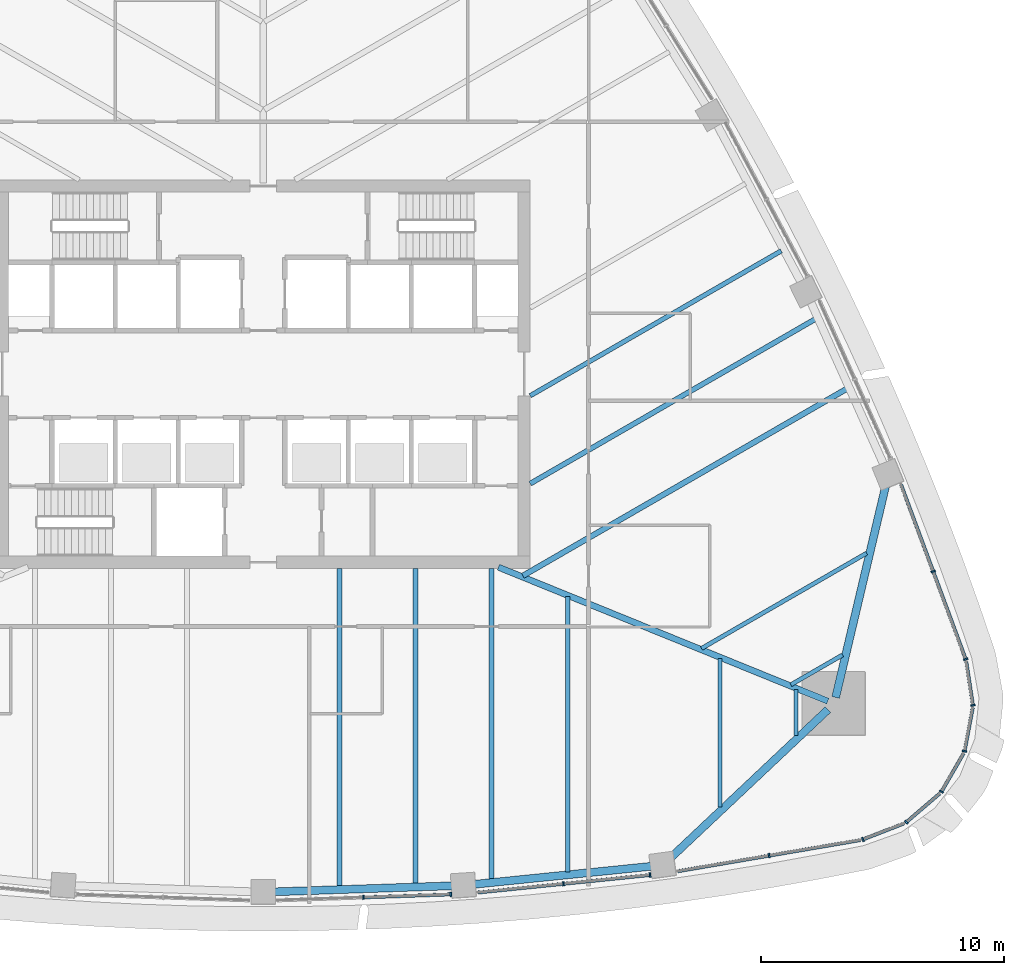
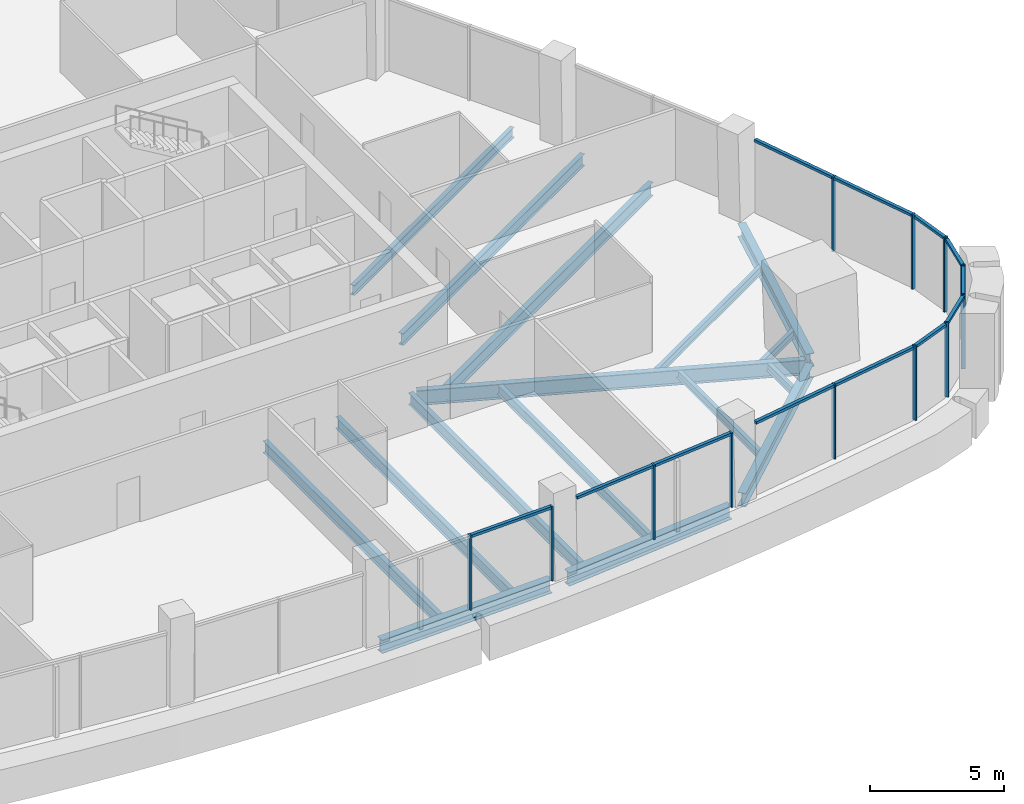
# One storey, part 4 of 16: 24 members, 16 beams, 9 elements without a shape of their own.
"""IFC4 building model written with IfcOpenShell, lengths in metres."""

from ifc_helpers import new_model, si_unit, direction, frame, origin, origin_2d, place, context, subcontext, project, spatial, rectangle, i_section, extrude, material, layer, layer_set, material_profile, profile_set, type_object, element, aggregate, save


model = new_model("IFC4")

# Units and contexts
model_context = context("Model", 3, precision=1e-05, world=origin(), true_north=direction((0.0, 1.0)))
body_context = subcontext(model_context, "Body", "Model", "MODEL_VIEW")
ifc_project = project(units=[si_unit("LENGTHUNIT", "METRE"), si_unit("AREAUNIT", "SQUARE_METRE"), si_unit("VOLUMEUNIT", "CUBIC_METRE"), si_unit("PLANEANGLEUNIT", "RADIAN"), si_unit("MASSUNIT", "GRAM", prefix="KILO")], contexts=[model_context])

# Site, building, storey
site_placement = place(None, origin())
site = spatial("IfcSite", under=ifc_project, at=site_placement, CompositionType="ELEMENT")
building_placement = place(site_placement, origin())
building = spatial("IfcBuilding", under=site, at=building_placement, Name="Sierra Prisma Convention Tower", CompositionType="ELEMENT")
storey_placement = place(building_placement, frame((0.0, 0.0, 181.800048828125)))
storey = spatial("IfcBuildingStorey", under=building, at=storey_placement, Name="L40", CompositionType="ELEMENT", Elevation=181.800048828125)

# Curtain wall, members
ifc_material_1 = material(Name="Aluminium and glass curtain wall", Category="aluminium")
ifc_layer = layer(ifc_material_1, 0.179931640625)
ifc_layer_set = layer_set([ifc_layer], Name="CW-1 Plain shaft curtain wall")
curtain_wall_type = type_object("IfcCurtainWallType", Name="CW-1 Plain shaft curtain wall", PredefinedType="NOTDEFINED", material=ifc_layer_set)
curtain_wall_1_placement = place(storey_placement, origin())
curtain_wall_1 = element("IfcCurtainWall", 1, at=curtain_wall_1_placement, inside=storey, type_object=curtain_wall_type, Name="CW-1 S4 L40", PredefinedType="NOTDEFINED")
ifc_material_2 = material(Name="Aluminium 6063-T6 bronze anodised", Category="aluminium")
ifc_material_profile_1 = material_profile(ifc_material_2, rectangle(XDim=0.179931640625, YDim=0.070068359375, at=origin_2d()), Name="ALU MULLION 70x180")
ifc_profile_set_1 = profile_set([ifc_material_profile_1], Name="Aluminium 6063-T6 bronze anodised")
member_type_1 = type_object("IfcMemberType", Name="CW mullion bronze", PredefinedType="MULLION", material=ifc_profile_set_1)
member_1_placement = place(storey_placement, frame((4.131591796875, -21.555908203125, 0.0), z_axis=(0.0, 0.0, 1.0), x_axis=(-0.033791530634, 0.999428903153, 0.0)))
member_1 = element("IfcMember", 2, at=member_1_placement, type_object=member_type_1, Name="CW-1 mullion S4.2", PredefinedType="MULLION", context=body_context, shape_type="SweptSolid", body=[
    extrude(rectangle(XDim=0.179931640625, YDim=0.070068359375, at=origin_2d()), origin(), (0.0, 0.0, 1.0), 3.39990234375),
])
member_2_placement = place(storey_placement, frame((7.728271484375, -21.434326171875, 0.0), z_axis=(0.0, 0.0, 1.0), x_axis=(-0.033791530634, 0.999428903153, 0.0)))
member_2 = element("IfcMember", 3, at=member_2_placement, type_object=member_type_1, Name="CW-1 mullion S4.3", PredefinedType="MULLION", context=body_context, shape_type="SweptSolid", body=[
    extrude(rectangle(XDim=0.179931640625, YDim=0.070068359375, at=origin_2d()), origin(), (0.0, 0.0, 1.0), 3.39990234375),
])

curtain_wall_2_placement = place(storey_placement, origin())
curtain_wall_2 = element("IfcCurtainWall", 4, at=curtain_wall_2_placement, inside=storey, type_object=curtain_wall_type, Name="CW-1 S5 L40", PredefinedType="NOTDEFINED")
member_3_placement = place(storey_placement, frame((12.3720703125, -20.9990234375, 0.0), z_axis=(0.0, 0.0, 1.0), x_axis=(-0.101220250094, 0.99486404145, 0.0)))
member_3 = element("IfcMember", 5, at=member_3_placement, type_object=member_type_1, Name="CW-1 mullion S5.2", PredefinedType="MULLION", context=body_context, shape_type="SweptSolid", body=[
    extrude(rectangle(XDim=0.179931640625, YDim=0.070068359375, at=origin_2d()), origin(), (0.0, 0.0, 1.0), 3.39990234375),
])
member_4_placement = place(storey_placement, frame((15.9365234375, -20.636474609375, 0.0), z_axis=(0.0, 0.0, 1.0), x_axis=(-0.101220250094, 0.99486404145, 0.0)))
member_4 = element("IfcMember", 6, at=member_4_placement, type_object=member_type_1, Name="CW-1 mullion S5.3", PredefinedType="MULLION", context=body_context, shape_type="SweptSolid", body=[
    extrude(rectangle(XDim=0.179931640625, YDim=0.070068359375, at=origin_2d()), origin(), (0.0, 0.0, 1.0), 3.39990234375),
])

# Curtain wall, member
curtain_wall_3_placement = place(storey_placement, origin())
curtain_wall_3 = element("IfcCurtainWall", 7, at=curtain_wall_3_placement, inside=storey, type_object=curtain_wall_type, Name="CW-1 S6 L40", PredefinedType="NOTDEFINED")
member_5_placement = place(storey_placement, frame((20.840576171875, -19.83935546875, 0.0), z_axis=(0.0, 0.0, 1.0), x_axis=(-0.168186649063, 0.985755167918, 0.0)))
member_5 = element("IfcMember", 8, at=member_5_placement, type_object=member_type_1, Name="CW-1 mullion S6.2", PredefinedType="MULLION", context=body_context, shape_type="SweptSolid", body=[
    extrude(rectangle(XDim=0.179931640625, YDim=0.070068359375, at=origin_2d()), origin(), (0.0, 0.0, 1.0), 3.39990234375),
])

curtain_wall_4_placement = place(storey_placement, origin())
curtain_wall_4 = element("IfcCurtainWall", 9, at=curtain_wall_4_placement, inside=storey, type_object=curtain_wall_type, Name="CW-1 SE1 L40", PredefinedType="NOTDEFINED")
member_6_placement = place(storey_placement, frame((24.707763671875, -19.17236328125, 0.0), z_axis=(0.0, 0.0, 1.0), x_axis=(-0.363171672809, 0.93172224191, 0.0)))
member_6 = element("IfcMember", 10, at=member_6_placement, type_object=member_type_1, Name="CW-1 mullion SE1.1", PredefinedType="MULLION", context=body_context, shape_type="SweptSolid", body=[
    extrude(rectangle(XDim=0.179931640625, YDim=0.070068359375, at=origin_2d()), origin(), (0.0, 0.0, 1.0), 3.39990234375),
])

curtain_wall_5_placement = place(storey_placement, origin())
curtain_wall_5 = element("IfcCurtainWall", 11, at=curtain_wall_5_placement, inside=storey, type_object=curtain_wall_type, Name="CW-1 SE2 L40", PredefinedType="NOTDEFINED")
member_7_placement = place(storey_placement, frame((26.493896484375, -18.4638671875, 0.0), z_axis=(0.0, 0.0, 1.0), x_axis=(-0.651404165496, 0.758730922775, 0.0)))
member_7 = element("IfcMember", 12, at=member_7_placement, type_object=member_type_1, Name="CW-1 mullion SE2.1", PredefinedType="MULLION", context=body_context, shape_type="SweptSolid", body=[
    extrude(rectangle(XDim=0.179931640625, YDim=0.070068359375, at=origin_2d()), origin(), (0.0, 0.0, 1.0), 3.39990234375),
])

curtain_wall_6_placement = place(storey_placement, origin())
curtain_wall_6 = element("IfcCurtainWall", 13, at=curtain_wall_6_placement, inside=storey, type_object=curtain_wall_type, Name="CW-1 SE3 L40", PredefinedType="NOTDEFINED")
member_8_placement = place(storey_placement, frame((27.944091796875, -17.20361328125, 0.0), z_axis=(0.0, 0.0, 1.0), x_axis=(-0.866025403784, 0.5, 0.0)))
member_8 = element("IfcMember", 14, at=member_8_placement, type_object=member_type_1, Name="CW-1 mullion SE3.1", PredefinedType="MULLION", context=body_context, shape_type="SweptSolid", body=[
    extrude(rectangle(XDim=0.179931640625, YDim=0.070068359375, at=origin_2d()), origin(), (0.0, 0.0, 1.0), 3.39990234375),
])

curtain_wall_7_placement = place(storey_placement, origin())
curtain_wall_7 = element("IfcCurtainWall", 15, at=curtain_wall_7_placement, inside=storey, type_object=curtain_wall_type, Name="CW-1 SE4 L40", PredefinedType="NOTDEFINED")
member_9_placement = place(storey_placement, frame((28.894775390625, -15.53369140625, 0.0), z_axis=(0.0, 0.0, 1.0), x_axis=(-0.982782336508, 0.184767094063, 0.0)))
member_9 = element("IfcMember", 16, at=member_9_placement, type_object=member_type_1, Name="CW-1 mullion SE4.1", PredefinedType="MULLION", context=body_context, shape_type="SweptSolid", body=[
    extrude(rectangle(XDim=0.179931640625, YDim=0.070068359375, at=origin_2d()), origin(), (0.0, 0.0, 1.0), 3.39990234375),
])

curtain_wall_8_placement = place(storey_placement, origin())
curtain_wall_8 = element("IfcCurtainWall", 17, at=curtain_wall_8_placement, inside=storey, type_object=curtain_wall_type, Name="CW-1 SE5 L40", PredefinedType="NOTDEFINED")
member_10_placement = place(storey_placement, frame((29.23828125, -13.643310546875, 0.0), z_axis=(0.0, 0.0, 1.0), x_axis=(-0.988480967169, -0.151345226367, 0.0)))
member_10 = element("IfcMember", 18, at=member_10_placement, type_object=member_type_1, Name="CW-1 mullion SE5.1", PredefinedType="MULLION", context=body_context, shape_type="SweptSolid", body=[
    extrude(rectangle(XDim=0.179931640625, YDim=0.070068359375, at=origin_2d()), origin(), (0.0, 0.0, 1.0), 3.39990234375),
])

# Curtain wall, members
curtain_wall_9_placement = place(storey_placement, origin())
curtain_wall_9 = element("IfcCurtainWall", 19, at=curtain_wall_9_placement, inside=storey, type_object=curtain_wall_type, Name="CW-1 NE1 L40", PredefinedType="NOTDEFINED")
member_11_placement = place(storey_placement, frame((28.9404296875, -11.743896484375, 0.0), z_axis=(0.0, 0.0, 1.0), x_axis=(-0.93778234186, -0.347223673293, 0.0)))
member_11 = element("IfcMember", 20, at=member_11_placement, type_object=member_type_1, Name="CW-1 mullion NE1.1", PredefinedType="MULLION", context=body_context, shape_type="SweptSolid", body=[
    extrude(rectangle(XDim=0.179931640625, YDim=0.070068359375, at=origin_2d()), origin(), (0.0, 0.0, 1.0), 3.39990234375),
])
member_12_placement = place(storey_placement, frame((27.601806640625, -8.128662109375, 0.0), z_axis=(0.0, 0.0, 1.0), x_axis=(-0.93778234186, -0.347223673293, 0.0)))
member_12 = element("IfcMember", 21, at=member_12_placement, type_object=member_type_1, Name="CW-1 mullion NE1.2", PredefinedType="MULLION", context=body_context, shape_type="SweptSolid", body=[
    extrude(rectangle(XDim=0.179931640625, YDim=0.070068359375, at=origin_2d()), origin(), (0.0, 0.0, 1.0), 3.39990234375),
])

# Member
ifc_material_3 = material(Name="Aluminium 6063-T6 bronze anodised", Category="aluminium")
ifc_material_profile_2 = material_profile(ifc_material_3, rectangle(XDim=0.139892578125, YDim=0.1201171875, at=origin_2d()), Name="ALU TRANSOM 120x140")
ifc_profile_set_2 = profile_set([ifc_material_profile_2], Name="Aluminium 6063-T6 bronze anodised")
member_type_2 = type_object("IfcMemberType", Name="CW transom bronze", PredefinedType="USERDEFINED", material=ifc_profile_set_2)
member_13_placement = place(storey_placement, frame((4.16650390625, -21.554931640625, 3.33984375), z_axis=(0.999427573838, 0.033830824007, 0.0), x_axis=(-0.033830824007, 0.999427573838, 0.0)))
member_13 = element("IfcMember", 22, at=member_13_placement, type_object=member_type_2, Name="CW-1 transom S4.2", ObjectType="TRANSOM", PredefinedType="USERDEFINED", context=body_context, shape_type="SweptSolid", body=[
    extrude(rectangle(XDim=0.139892578125, YDim=0.1201171875, at=origin_2d()), origin(), (0.0, 0.0, 1.0), 3.52880859375),
])

aggregate(curtain_wall_1, [member_1, member_2, member_13])

member_14_placement = place(storey_placement, frame((8.842529296875, -21.358154296875, 3.33984375), z_axis=(0.994866465575, 0.101196421257, 0.0), x_axis=(-0.101196421257, 0.994866465575, 0.0)))
member_14 = element("IfcMember", 23, at=member_14_placement, type_object=member_type_2, Name="CW-1 transom S5.1", ObjectType="TRANSOM", PredefinedType="USERDEFINED", context=body_context, shape_type="SweptSolid", body=[
    extrude(rectangle(XDim=0.139892578125, YDim=0.1201171875, at=origin_2d()), origin(), (0.0, 0.0, 1.0), 3.5126953125),
])

member_15_placement = place(storey_placement, frame((12.406982421875, -20.99560546875, 3.33984375), z_axis=(0.994859465893, 0.101265211807, 0.0), x_axis=(-0.101265211807, 0.994859465893, 0.0)))
member_15 = element("IfcMember", 24, at=member_15_placement, type_object=member_type_2, Name="CW-1 transom S5.2", ObjectType="TRANSOM", PredefinedType="USERDEFINED", context=body_context, shape_type="SweptSolid", body=[
    extrude(rectangle(XDim=0.139892578125, YDim=0.1201171875, at=origin_2d()), origin(), (0.0, 0.0, 1.0), 3.5126953125),
])

aggregate(curtain_wall_2, [member_3, member_4, member_14, member_15])

member_16_placement = place(storey_placement, frame((17.074951171875, -20.48193359375, 3.33984375), z_axis=(0.985750254216, 0.168215446116, 0.0), x_axis=(-0.168215446116, 0.985750254216, 0.0)))
member_16 = element("IfcMember", 25, at=member_16_placement, type_object=member_type_2, Name="CW-1 transom S6.1", ObjectType="TRANSOM", PredefinedType="USERDEFINED", context=body_context, shape_type="SweptSolid", body=[
    extrude(rectangle(XDim=0.139892578125, YDim=0.1201171875, at=origin_2d()), origin(), (0.0, 0.0, 1.0), 3.78515625),
])

member_17_placement = place(storey_placement, frame((20.875, -19.83349609375, 3.33984375), z_axis=(0.985760947593, 0.168152770423, 0.0), x_axis=(-0.168152770423, 0.985760947593, 0.0)))
member_17 = element("IfcMember", 26, at=member_17_placement, type_object=member_type_2, Name="CW-1 transom S6.2", ObjectType="TRANSOM", PredefinedType="USERDEFINED", context=body_context, shape_type="SweptSolid", body=[
    extrude(rectangle(XDim=0.139892578125, YDim=0.1201171875, at=origin_2d()), origin(), (0.0, 0.0, 1.0), 3.78515625),
])

aggregate(curtain_wall_3, [member_5, member_16, member_17])

member_18_placement = place(storey_placement, frame((24.740478515625, -19.15966796875, 3.33984375), z_axis=(0.931762957176, 0.363067199887, 0.0), x_axis=(-0.363067199887, 0.931762957176, 0.0)))
member_18 = element("IfcMember", 27, at=member_18_placement, type_object=member_type_2, Name="CW-1 transom SE1.1", ObjectType="TRANSOM", PredefinedType="USERDEFINED", context=body_context, shape_type="SweptSolid", body=[
    extrude(rectangle(XDim=0.139892578125, YDim=0.1201171875, at=origin_2d()), origin(), (0.0, 0.0, 1.0), 1.783203125),
])

aggregate(curtain_wall_4, [member_6, member_18])

member_19_placement = place(storey_placement, frame((26.520263671875, -18.441162109375, 3.33984375), z_axis=(0.758792587086, 0.65133233436, 0.0), x_axis=(-0.65133233436, 0.758792587086, 0.0)))
member_19 = element("IfcMember", 28, at=member_19_placement, type_object=member_type_2, Name="CW-1 transom SE2.1", ObjectType="TRANSOM", PredefinedType="USERDEFINED", context=body_context, shape_type="SweptSolid", body=[
    extrude(rectangle(XDim=0.139892578125, YDim=0.1201171875, at=origin_2d()), origin(), (0.0, 0.0, 1.0), 1.783447265625),
])

aggregate(curtain_wall_5, [member_7, member_19])

member_20_placement = place(storey_placement, frame((27.961669921875, -17.173095703125, 3.33984375), z_axis=(0.500026652407, 0.866010015463, 0.0), x_axis=(-0.866010015463, 0.500026652407, 0.0)))
member_20 = element("IfcMember", 29, at=member_20_placement, type_object=member_type_2, Name="CW-1 transom SE3.1", ObjectType="TRANSOM", PredefinedType="USERDEFINED", context=body_context, shape_type="SweptSolid", body=[
    extrude(rectangle(XDim=0.139892578125, YDim=0.1201171875, at=origin_2d()), origin(), (0.0, 0.0, 1.0), 1.783203125),
])

aggregate(curtain_wall_6, [member_8, member_20])

member_21_placement = place(storey_placement, frame((28.901123046875, -15.49951171875, 3.33984375), z_axis=(0.184809229532, 0.982774413932, 0.0), x_axis=(-0.982774413932, 0.184809229532, 0.0)))
member_21 = element("IfcMember", 30, at=member_21_placement, type_object=member_type_2, Name="CW-1 transom SE4.1", ObjectType="TRANSOM", PredefinedType="USERDEFINED", context=body_context, shape_type="SweptSolid", body=[
    extrude(rectangle(XDim=0.139892578125, YDim=0.1201171875, at=origin_2d()), origin(), (0.0, 0.0, 1.0), 1.783447265625),
])

aggregate(curtain_wall_7, [member_9, member_21])

member_22_placement = place(storey_placement, frame((29.23291015625, -13.60888671875, 3.33984375), z_axis=(-0.151265064027, 0.98849323741, 0.0), x_axis=(-0.98849323741, -0.151265064027, 0.0)))
member_22 = element("IfcMember", 31, at=member_22_placement, type_object=member_type_2, Name="CW-1 transom SE5.1", ObjectType="TRANSOM", PredefinedType="USERDEFINED", context=body_context, shape_type="SweptSolid", body=[
    extrude(rectangle(XDim=0.139892578125, YDim=0.1201171875, at=origin_2d()), origin(), (0.0, 0.0, 1.0), 1.783447265625),
])

aggregate(curtain_wall_8, [member_10, member_22])

member_23_placement = place(storey_placement, frame((28.92822265625, -11.711181640625, 3.33984375), z_axis=(-0.34721141592, 0.937786880189, 0.0), x_axis=(-0.937786880189, -0.34721141592, 0.0)))
member_23 = element("IfcMember", 32, at=member_23_placement, type_object=member_type_2, Name="CW-1 transom NE1.1", ObjectType="TRANSOM", PredefinedType="USERDEFINED", context=body_context, shape_type="SweptSolid", body=[
    extrude(rectangle(XDim=0.139892578125, YDim=0.1201171875, at=origin_2d()), origin(), (0.0, 0.0, 1.0), 3.78515625),
])

member_24_placement = place(storey_placement, frame((27.589599609375, -8.095947265625, 3.33984375), z_axis=(-0.34721141592, 0.937786880189, 0.0), x_axis=(-0.937786880189, -0.34721141592, 0.0)))
member_24 = element("IfcMember", 33, at=member_24_placement, type_object=member_type_2, Name="CW-1 transom NE1.2", ObjectType="TRANSOM", PredefinedType="USERDEFINED", context=body_context, shape_type="SweptSolid", body=[
    extrude(rectangle(XDim=0.139892578125, YDim=0.1201171875, at=origin_2d()), origin(), (0.0, 0.0, 1.0), 3.78515625),
])

aggregate(curtain_wall_9, [member_11, member_12, member_23, member_24])

# Beams
ifc_material_4 = material(Name="Steel ASTM A992 Gr 50", Category="steel")
ifc_material_profile_3 = material_profile(ifc_material_4, i_section(OverallWidth=0.172119140625, OverallDepth=0.35791015625, WebThickness=0.0078125, FlangeThickness=0.01318359375, at=origin_2d()), Name="W360x57")
ifc_profile_set_3 = profile_set([ifc_material_profile_3], Name="Steel ASTM A992 Gr 50")
beam_type_1 = type_object("IfcBeamType", Name="Floor joist W360x57", PredefinedType="JOIST", material=ifc_profile_set_3)
beam_1_placement = place(storey_placement, frame((18.818359375, -17.8408203125, -0.3291015625), z_axis=(0.0, 1.0, 0.0), x_axis=(-1.0, 0.0, 0.0)))
element("IfcBeam", 34, at=beam_1_placement, inside=storey, type_object=beam_type_1, Name="Floor joist L40 S14", PredefinedType="JOIST", context=body_context, shape_type="SweptSolid", body=[
    extrude(i_section(OverallWidth=0.172119140625, OverallDepth=0.35791015625, WebThickness=0.0078125, FlangeThickness=0.01318359375, at=origin_2d()), origin(), (0.0, 0.0, 1.0), 6.118408203125),
])
beam_2_placement = place(storey_placement, frame((21.954833984375, -14.885498046875, -0.3291015625), z_axis=(0.0, 1.0, 0.0), x_axis=(-1.0, 0.0, 0.0)))
element("IfcBeam", 35, at=beam_2_placement, inside=storey, type_object=beam_type_1, Name="Floor joist L40 S15", PredefinedType="JOIST", context=body_context, shape_type="SweptSolid", body=[
    extrude(i_section(OverallWidth=0.172119140625, OverallDepth=0.35791015625, WebThickness=0.0078125, FlangeThickness=0.01318359375, at=origin_2d()), origin(), (0.0, 0.0, 1.0), 1.887451171875),
])
beam_3_placement = place(storey_placement, frame((23.86865234375, -11.570556640625, -0.3291015625), z_axis=(-0.865998803033, -0.500046071023, 0.0), x_axis=(0.500046071023, -0.865998803033, 0.0)))
element("IfcBeam", 36, at=beam_3_placement, inside=storey, type_object=beam_type_1, Name="Floor joist L40 NE01", PredefinedType="JOIST", context=body_context, shape_type="SweptSolid", body=[
    extrude(i_section(OverallWidth=0.172119140625, OverallDepth=0.35791015625, WebThickness=0.0078125, FlangeThickness=0.01318359375, at=origin_2d()), origin(), (0.0, 0.0, 1.0), 2.459716796875),
])
beam_4_placement = place(storey_placement, frame((24.85986328125, -7.376708984375, -0.3291015625), z_axis=(-0.866025114386, -0.500000501253, 0.0), x_axis=(0.500000501253, -0.866025114386, 0.0)))
element("IfcBeam", 37, at=beam_4_placement, inside=storey, type_object=beam_type_1, Name="Floor joist L40 NE02", PredefinedType="JOIST", context=body_context, shape_type="SweptSolid", body=[
    extrude(i_section(OverallWidth=0.172119140625, OverallDepth=0.35791015625, WebThickness=0.0078125, FlangeThickness=0.01318359375, at=origin_2d()), origin(), (0.0, 0.0, 1.0), 7.85400390625),
])
ifc_material_5 = material(Name="Steel ASTM A992 Gr 50", Category="steel")
ifc_material_profile_4 = material_profile(ifc_material_5, i_section(OverallWidth=0.18994140625, OverallDepth=0.45703125, WebThickness=0.009033203125, FlangeThickness=0.014404296875, at=origin_2d()), Name="W460x74")
ifc_profile_set_4 = profile_set([ifc_material_profile_4], Name="Steel ASTM A992 Gr 50")
beam_type_2 = type_object("IfcBeamType", Name="Floor joist W460x74", PredefinedType="JOIST", material=ifc_profile_set_4)
beam_5_placement = place(storey_placement, frame((12.545654296875, -20.5166015625, -0.378662109375), z_axis=(0.0, 1.0, 0.0), x_axis=(-1.0, 0.0, 0.0)))
element("IfcBeam", 38, at=beam_5_placement, inside=storey, type_object=beam_type_2, Name="Floor joist L40 S12", PredefinedType="JOIST", context=body_context, shape_type="SweptSolid", body=[
    extrude(i_section(OverallWidth=0.18994140625, OverallDepth=0.45703125, WebThickness=0.009033203125, FlangeThickness=0.014404296875, at=origin_2d()), origin(), (0.0, 0.0, 1.0), 11.34521484375),
])
beam_6_placement = place(storey_placement, frame((21.341064453125, 5.078125, -0.378662109375), z_axis=(-0.866023857569, -0.500002678114, 0.0), x_axis=(0.500002678114, -0.866023857569, 0.0)))
element("IfcBeam", 39, at=beam_6_placement, inside=storey, type_object=beam_type_2, Name="Floor joist L40 NE06", PredefinedType="JOIST", context=body_context, shape_type="SweptSolid", body=[
    extrude(i_section(OverallWidth=0.18994140625, OverallDepth=0.45703125, WebThickness=0.009033203125, FlangeThickness=0.014404296875, at=origin_2d()), origin(), (0.0, 0.0, 1.0), 11.94091796875),
])
ifc_material_6 = material(Name="Steel ASTM A992 Gr 50", Category="steel")
ifc_material_profile_5 = material_profile(ifc_material_6, i_section(OverallWidth=0.208984375, OverallDepth=0.532958984375, WebThickness=0.01025390625, FlangeThickness=0.015625, at=origin_2d()), Name="W530x92")
ifc_profile_set_5 = profile_set([ifc_material_profile_5], Name="Steel ASTM A992 Gr 50")
beam_type_3 = type_object("IfcBeamType", Name="Floor joist W530x92", PredefinedType="JOIST", material=ifc_profile_set_5)
beam_7_placement = place(storey_placement, frame((3.136474609375, -21.126953125, -0.41650390625), z_axis=(0.0, 1.0, 0.0), x_axis=(-1.0, 0.0, 0.0)))
element("IfcBeam", 40, at=beam_7_placement, inside=storey, type_object=beam_type_3, Name="Floor joist L40 S09", PredefinedType="JOIST", context=body_context, shape_type="SweptSolid", body=[
    extrude(i_section(OverallWidth=0.208984375, OverallDepth=0.532958984375, WebThickness=0.01025390625, FlangeThickness=0.015625, at=origin_2d()), origin(), (0.0, 0.0, 1.0), 13.126953125),
])
beam_8_placement = place(storey_placement, frame((6.272705078125, -21.02099609375, -0.41650390625), z_axis=(0.0, 1.0, 0.0), x_axis=(-1.0, 0.0, 0.0)))
element("IfcBeam", 41, at=beam_8_placement, inside=storey, type_object=beam_type_3, Name="Floor joist L40 S10", PredefinedType="JOIST", context=body_context, shape_type="SweptSolid", body=[
    extrude(i_section(OverallWidth=0.208984375, OverallDepth=0.532958984375, WebThickness=0.01025390625, FlangeThickness=0.015625, at=origin_2d()), origin(), (0.0, 0.0, 1.0), 13.02099609375),
])
beam_9_placement = place(storey_placement, frame((9.4091796875, -20.835693359375, -0.41650390625), z_axis=(0.0, 1.0, 0.0), x_axis=(-1.0, 0.0, 0.0)))
element("IfcBeam", 42, at=beam_9_placement, inside=storey, type_object=beam_type_3, Name="Floor joist L40 S11", PredefinedType="JOIST", context=body_context, shape_type="SweptSolid", body=[
    extrude(i_section(OverallWidth=0.208984375, OverallDepth=0.532958984375, WebThickness=0.01025390625, FlangeThickness=0.015625, at=origin_2d()), origin(), (0.0, 0.0, 1.0), 12.835693359375),
])
beam_10_placement = place(storey_placement, frame((22.748779296875, 2.269287109375, -0.41650390625), z_axis=(-0.866024055708, -0.500002334929, 0.0), x_axis=(0.500002334929, -0.866024055708, 0.0)))
element("IfcBeam", 43, at=beam_10_placement, inside=storey, type_object=beam_type_3, Name="Floor joist L40 NE05", PredefinedType="JOIST", context=body_context, shape_type="SweptSolid", body=[
    extrude(i_section(OverallWidth=0.208984375, OverallDepth=0.532958984375, WebThickness=0.01025390625, FlangeThickness=0.015625, at=origin_2d()), origin(), (0.0, 0.0, 1.0), 13.56640625),
])
ifc_material_7 = material(Name="Steel ASTM A992 Gr 50", Category="steel")
ifc_material_profile_6 = material_profile(ifc_material_7, i_section(OverallWidth=0.22802734375, OverallDepth=0.60302734375, WebThickness=0.010498046875, FlangeThickness=0.014892578125, at=origin_2d()), Name="W610x101")
ifc_profile_set_6 = profile_set([ifc_material_profile_6], Name="Steel ASTM A992 Gr 50")
beam_type_4 = type_object("IfcBeamType", Name="Floor joist W610x101", PredefinedType="JOIST", material=ifc_profile_set_6)
beam_11_placement = place(storey_placement, frame((24.04052734375, -0.6064453125, -0.45166015625), z_axis=(-0.86602488411, -0.500000900101, 0.0), x_axis=(0.500000900101, -0.86602488411, 0.0)))
element("IfcBeam", 44, at=beam_11_placement, inside=storey, type_object=beam_type_4, Name="Floor joist L40 NE04", PredefinedType="JOIST", context=body_context, shape_type="SweptSolid", body=[
    extrude(i_section(OverallWidth=0.22802734375, OverallDepth=0.60302734375, WebThickness=0.010498046875, FlangeThickness=0.014892578125, at=origin_2d()), origin(), (0.0, 0.0, 1.0), 15.4072265625),
])
ifc_material_8 = material(Name="Steel ASTM A992 Gr 50", Category="steel")
ifc_material_profile_7 = material_profile(ifc_material_8, i_section(OverallWidth=0.25390625, OverallDepth=0.68408203125, WebThickness=0.012451171875, FlangeThickness=0.018798828125, at=origin_2d()), Name="W690x140")
ifc_profile_set_7 = profile_set([ifc_material_profile_7], Name="Steel ASTM A992 Gr 50")
beam_type_5 = type_object("IfcBeamType", Name="Radial girder W690x140", PredefinedType="BEAM", material=ifc_profile_set_7)
beam_12_placement = place(storey_placement, frame((23.262939453125, -13.475341796875, -0.491943359375), z_axis=(-0.926324177359, 0.376727379468, 0.0), x_axis=(-0.376727379468, -0.926324177359, 0.0)))
element("IfcBeam", 45, at=beam_12_placement, inside=storey, type_object=beam_type_5, Name="Radial girder L40 SE", PredefinedType="BEAM", context=body_context, shape_type="SweptSolid", body=[
    extrude(i_section(OverallWidth=0.25390625, OverallDepth=0.68408203125, WebThickness=0.012451171875, FlangeThickness=0.018798828125, at=origin_2d()), origin(), (0.0, 0.0, 1.0), 14.65380859375),
])
ifc_material_9 = material(Name="Steel ASTM A992 Gr 50", Category="steel")
ifc_material_profile_8 = material_profile(ifc_material_9, i_section(OverallWidth=0.324951171875, OverallDepth=0.615966796875, WebThickness=0.013916015625, FlangeThickness=0.021484375, at=origin_2d()), Name="W610x174")
ifc_profile_set_8 = profile_set([ifc_material_profile_8], Name="Steel ASTM A992 Gr 50")
beam_type_6 = type_object("IfcBeamType", Name="Spandrel beam W610x174", PredefinedType="BEAM", material=ifc_profile_set_8)
for number, where, z_axis, x_axis, name in (
    (46, (0.380126953125, -21.332763671875, -0.4580078125), (0.999429474359, 0.03377463224, 0.0), (-0.03377463224, 0.999429474359, 0.0), "Spandrel L40-04"),
    (47, (8.630126953125, -21.0283203125, -0.4580078125), (0.994863501831, 0.101225553712, 0.0), (-0.101225553712, 0.994863501831, 0.0), "Spandrel L40-05"),
):
    element("IfcBeam", number, at=place(storey_placement, frame(where, z_axis=z_axis, x_axis=x_axis)), inside=storey, type_object=beam_type_6, Name=name, PredefinedType="BEAM", context=body_context, shape_type="SweptSolid", body=[
        extrude(i_section(OverallWidth=0.324951171875, OverallDepth=0.615966796875, WebThickness=0.013916015625, FlangeThickness=0.021484375, at=origin_2d()), origin(), (0.0, 0.0, 1.0), 7.49609375),
    ])
beam_13_placement = place(storey_placement, frame((16.825927734375, -19.891845703125, -0.4580078125), z_axis=(0.727773604918, 0.685817453835, 0.0), x_axis=(-0.685817453835, 0.727773604918, 0.0)))
element("IfcBeam", 48, at=beam_13_placement, inside=storey, type_object=beam_type_6, Name="Spandrel L40-06", PredefinedType="BEAM", context=body_context, shape_type="SweptSolid", body=[
    extrude(i_section(OverallWidth=0.324951171875, OverallDepth=0.615966796875, WebThickness=0.013916015625, FlangeThickness=0.021484375, at=origin_2d()), origin(), (0.0, 0.0, 1.0), 8.8447265625),
])
beam_14_placement = place(storey_placement, frame((23.58447265625, -13.321044921875, -0.4580078125), z_axis=(0.230016984547, 0.973186614591, 0.0), x_axis=(-0.973186614591, 0.230016984547, 0.0)))
element("IfcBeam", 49, at=beam_14_placement, inside=storey, type_object=beam_type_6, Name="Spandrel L40-07", PredefinedType="BEAM", context=body_context, shape_type="SweptSolid", body=[
    extrude(i_section(OverallWidth=0.324951171875, OverallDepth=0.615966796875, WebThickness=0.013916015625, FlangeThickness=0.021484375, at=origin_2d()), origin(), (0.0, 0.0, 1.0), 8.934814453125),
])

save(model, "model.ifc")
